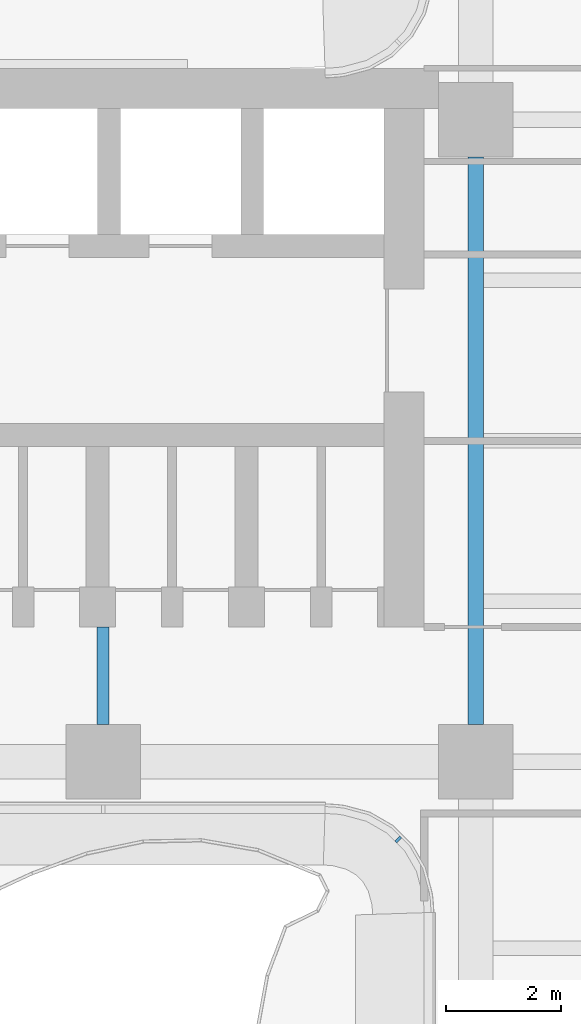
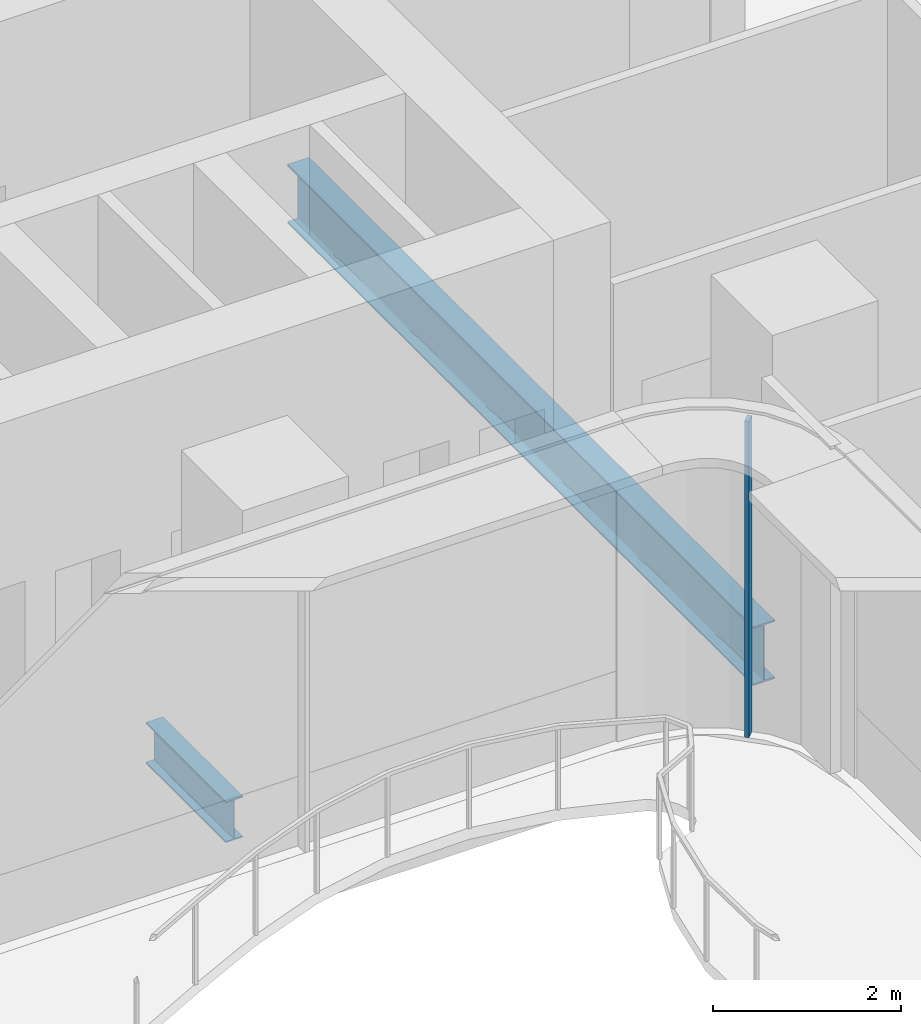
# One storey, part 4 of 21: 2 beams, 1 member, 1 element without a shape of its own.
"""IFC4 building model written with IfcOpenShell, lengths in metres."""

from ifc_helpers import new_model, si_unit, direction, frame, origin, origin_2d, place, context, subcontext, project, spatial, rectangle, i_section, extrude, source, transform, mapped, material, layer, layer_set, material_profile, profile_set, type_object, element, aggregate, save


model = new_model("IFC4")

# Units and contexts
model_context = context("Model", 3, precision=1e-05, world=origin(), true_north=direction((0.0, 1.0)))
body_context = subcontext(model_context, "Body", "Model", "MODEL_VIEW")
ifc_project = project(units=[si_unit("LENGTHUNIT", "METRE"), si_unit("AREAUNIT", "SQUARE_METRE"), si_unit("VOLUMEUNIT", "CUBIC_METRE"), si_unit("PLANEANGLEUNIT", "RADIAN"), si_unit("MASSUNIT", "GRAM", prefix="KILO")], contexts=[model_context])

# Site, building, storey
site_placement = place(None, origin())
site = spatial("IfcSite", under=ifc_project, at=site_placement, CompositionType="ELEMENT")
building_placement = place(site_placement, origin())
building = spatial("IfcBuilding", under=site, at=building_placement, Name="Trellis Farm Tower", CompositionType="ELEMENT")
storey_placement = place(building_placement, frame((0.0, 0.0, 115.5)))
storey = spatial("IfcBuildingStorey", under=building, at=storey_placement, Name="L24", CompositionType="ELEMENT", Elevation=115.5)

# Beams
ifc_material_1 = material(Name="Steel S355", Category="steel")
ifc_material_profile_1 = material_profile(ifc_material_1, i_section(OverallWidth=0.2666015625, OverallDepth=0.76220703125, WebThickness=0.014404296875, FlangeThickness=0.021484375, FilletRadius=0.0166015625, at=origin_2d()), Name="UB 762x267x173")
ifc_profile_set_1 = profile_set([ifc_material_profile_1], Name="Steel S355")
beam_type_1 = type_object("IfcBeamType", Name="UB 762x267x173", PredefinedType="BEAM", material=ifc_profile_set_1)
shared_shape_1 = source(origin(), body_context, "Body", "SweptSolid", [
    extrude(i_section(OverallWidth=0.2666015625, OverallDepth=0.76220703125, WebThickness=0.014404296875, FlangeThickness=0.021484375, FilletRadius=0.0166015625, at=origin_2d()), origin(), (0.0, 0.0, 1.0), 9.89990234375),
])
beam_1_placement = place(storey_placement, frame((-5.60009765625, -4.949951171875, -0.631103515625), z_axis=(0.0, 1.0, 0.0), x_axis=(-1.0, 0.0, 0.0)))
element("IfcBeam", 1, at=beam_1_placement, inside=storey, type_object=beam_type_1, Name="Girder", PredefinedType="BEAM", context=body_context, shape_type="MappedRepresentation", body=[
    mapped(shared_shape_1, transform((0.0, 0.0, 0.0))),
])
ifc_material_profile_2 = material_profile(ifc_material_1, i_section(OverallWidth=0.209228515625, OverallDepth=0.533203125, WebThickness=0.010009765625, FlangeThickness=0.015625, FilletRadius=0.0126953125, at=origin_2d()), Name="UB 533x210x92")
ifc_profile_set_2 = profile_set([ifc_material_profile_2], Name="Steel S355")
beam_type_2 = type_object("IfcBeamType", Name="UB 533x210x92", PredefinedType="BEAM", material=ifc_profile_set_2)
shared_shape_2 = source(origin(), body_context, "Body", "SweptSolid", [
    extrude(i_section(OverallWidth=0.209228515625, OverallDepth=0.533203125, WebThickness=0.010009765625, FlangeThickness=0.015625, FilletRadius=0.0126953125, at=origin_2d()), origin(), (0.0, 0.0, 1.0), 1.699951171875),
])
beam_2_placement = place(storey_placement, frame((-12.10009765625, -4.949951171875, -0.5166015625), z_axis=(0.0, 1.0, 0.0), x_axis=(-1.0, 0.0, 0.0)))
element("IfcBeam", 2, at=beam_2_placement, inside=storey, type_object=beam_type_2, Name="Girder", PredefinedType="BEAM", context=body_context, shape_type="MappedRepresentation", body=[
    mapped(shared_shape_2, transform((0.0, 0.0, 0.0))),
])

# Curtain wall, member
ifc_material_2 = material(Name="Aluminium and glass curtain wall", Category="aluminium")
ifc_layer = layer(ifc_material_2, 0.166015625)
ifc_layer_set = layer_set([ifc_layer], Name="WINTER GARDEN CURTAIN WALL CW3")
curtain_wall_type = type_object("IfcCurtainWallType", Name="WINTER GARDEN CURTAIN WALL CW3", PredefinedType="NOTDEFINED", material=ifc_layer_set)
curtain_wall_placement = place(storey_placement, origin())
curtain_wall = element("IfcCurtainWall", 3, at=curtain_wall_placement, inside=storey, type_object=curtain_wall_type, Name="CW3 001", PredefinedType="NOTDEFINED")
ifc_material_3 = material(Name="Aluminium extrusion 6063-T6", Category="aluminium")
ifc_material_profile_3 = material_profile(ifc_material_3, rectangle(XDim=0.050048828125, YDim=0.1201171875, at=origin_2d()), Name="MULLION 50x120")
ifc_profile_set_3 = profile_set([ifc_material_profile_3], Name="Aluminium extrusion 6063-T6")
member_type = type_object("IfcMemberType", Name="CW3 MULLION 50x120", PredefinedType="MULLION", material=ifc_profile_set_3)
shared_shape_3 = source(origin(), body_context, "Body", "SweptSolid", [
    extrude(rectangle(XDim=0.050048828125, YDim=0.1201171875, at=origin_2d()), origin(), (0.0, 0.0, 1.0), 4.10009765625),
])
member_placement = place(storey_placement, frame((-6.953125, -6.953125, 0.0), z_axis=(0.0, 0.0, 1.0), x_axis=(0.707106781187, -0.707106781187, 0.0)))
member = element("IfcMember", 4, at=member_placement, type_object=member_type, Name="MU3 001-01", PredefinedType="MULLION", context=body_context, shape_type="MappedRepresentation", body=[
    mapped(shared_shape_3, transform((0.0, 0.0, 0.0))),
])
aggregate(curtain_wall, [member])

save(model, "model.ifc")
